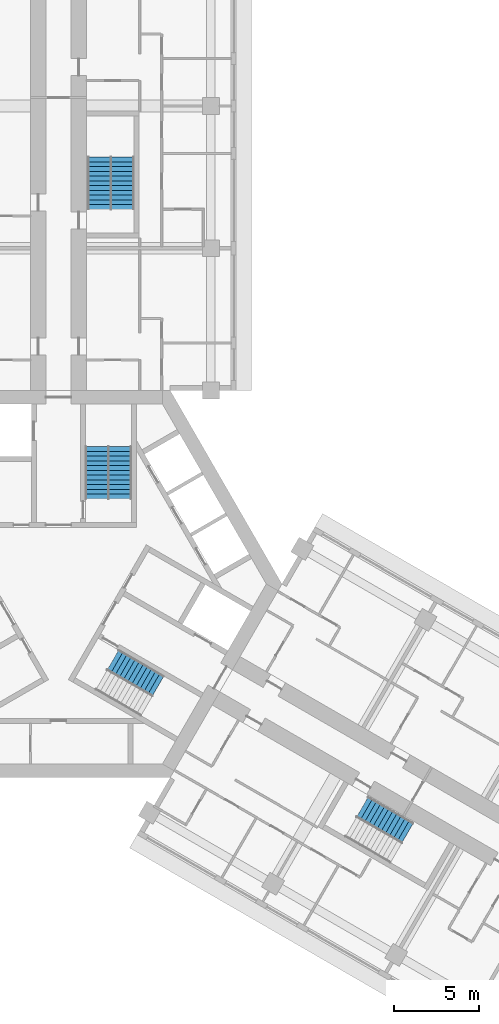
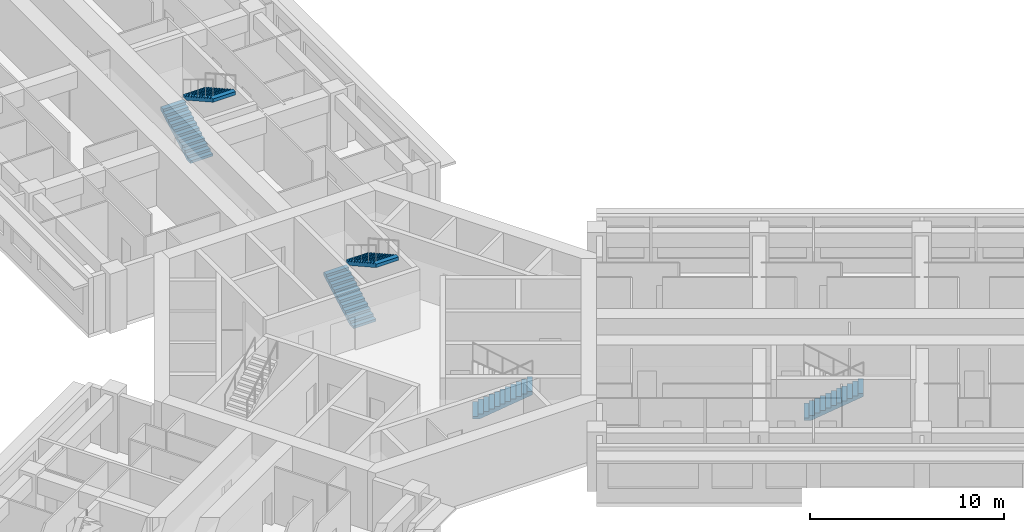
# One storey, part 13 of 14: 6 stair flights, 4 elements without a shape of their own.
"""IFC4 building model written with IfcOpenShell, lengths in metres."""

from ifc_helpers import new_model, si_unit, direction, frame, origin, place, context, subcontext, project, spatial, polyline, outline, extrude, material, type_object, element, aggregate, save


model = new_model("IFC4")

# Units and contexts
model_context = context("Model", 3, precision=1e-05, world=origin(), true_north=direction((0.0, 1.0)))
body_context = subcontext(model_context, "Body", "Model", "MODEL_VIEW")
ifc_project = project(units=[si_unit("LENGTHUNIT", "METRE"), si_unit("AREAUNIT", "SQUARE_METRE"), si_unit("VOLUMEUNIT", "CUBIC_METRE"), si_unit("PLANEANGLEUNIT", "RADIAN"), si_unit("MASSUNIT", "GRAM", prefix="KILO")], contexts=[model_context])

# Site, building, storey
site_placement = place(None, origin())
site = spatial("IfcSite", under=ifc_project, at=site_placement, CompositionType="ELEMENT")
building_placement = place(site_placement, origin())
building = spatial("IfcBuilding", under=site, at=building_placement, Name="Impinga Residences", CompositionType="ELEMENT")
storey_placement = place(building_placement, frame((0.0, 0.0, 154.75)))
storey = spatial("IfcBuildingStorey", under=building, at=storey_placement, Name="L38", CompositionType="ELEMENT", Elevation=154.75)

# Stair, stair flights
ifc_material = material(Name="Concrete C40/50", Category="concrete")
stair_type_1 = type_object("IfcStairType", Name="STR core stair 3750 storey, 24 risers", PredefinedType="HALF_TURN_STAIR", material=ifc_material)
stair_1_placement = place(storey_placement, origin())
stair_1 = element("IfcStair", 1, at=stair_1_placement, inside=storey, type_object=stair_type_1, Name="Stair ST1 L38", PredefinedType="HALF_TURN_STAIR")
stair_flight_type = type_object("IfcStairFlightType", Name="SF 12 risers of 156", PredefinedType="STRAIGHT", material=ifc_material)
stair_flight_1_placement = place(storey_placement, frame((2.27490234375, 5.030029296875, 0.0), z_axis=(0.0, 0.0, 1.0), x_axis=(0.0, 1.0, 0.0)))
stair_flight_1 = element("IfcStairFlight", 2, at=stair_flight_1_placement, type_object=stair_flight_type, Name="ST1 flight 1", NumberOfRisers=12, NumberOfTreads=11, PredefinedType="STRAIGHT", RiserHeight=0.15625, TreadLength=0.28, context=body_context, shape_type="SweptSolid", body=[
    extrude(outline(polyline([(0.0, 0.0), (0.0, 0.15625), (0.280029296875, 0.15625), (0.280029296875, 0.3125), (0.56005859375, 0.3125), (0.56005859375, 0.46875), (0.840087890625, 0.46875), (0.840087890625, 0.625), (1.1201171875, 0.625), (1.1201171875, 0.78125), (1.39990234375, 0.78125), (1.39990234375, 0.9375), (1.679931640625, 0.9375), (1.679931640625, 1.09375), (1.9599609375, 1.09375), (1.9599609375, 1.25), (2.239990234375, 1.25), (2.239990234375, 1.40625), (2.52001953125, 1.40625), (2.52001953125, 1.5625), (2.800048828125, 1.5625), (2.800048828125, 1.71875), (3.080078125, 1.71875), (3.080078125, 1.875), (3.080078125, 1.5126953125), (0.369140625, 0.0), (0.0, 0.0)])), frame((0.0, 0.675048828125, 0.0), z_axis=(0.0, -1.0, 0.0), x_axis=(1.0, 0.0, 0.0)), (0.0, 0.0, 1.0), 1.35009765625),
])
stair_flight_2_placement = place(storey_placement, frame((3.625, 8.110107421875, 1.875), z_axis=(0.0, 0.0, 1.0), x_axis=(0.0, -1.0, 0.0)))
stair_flight_2 = element("IfcStairFlight", 3, at=stair_flight_2_placement, type_object=stair_flight_type, Name="ST1 flight 2", NumberOfRisers=12, NumberOfTreads=11, PredefinedType="STRAIGHT", RiserHeight=0.15625, TreadLength=0.28, context=body_context, shape_type="SweptSolid", body=[
    extrude(outline(polyline([(0.0, 0.0), (0.0, 0.15625), (0.280029296875, 0.15625), (0.280029296875, 0.3125), (0.56005859375, 0.3125), (0.56005859375, 0.46875), (0.840087890625, 0.46875), (0.840087890625, 0.625), (1.1201171875, 0.625), (1.1201171875, 0.78125), (1.39990234375, 0.78125), (1.39990234375, 0.9375), (1.679931640625, 0.9375), (1.679931640625, 1.09375), (1.9599609375, 1.09375), (1.9599609375, 1.25), (2.239990234375, 1.25), (2.239990234375, 1.40625), (2.52001953125, 1.40625), (2.52001953125, 1.5625), (2.800048828125, 1.5625), (2.800048828125, 1.71875), (3.080078125, 1.71875), (3.080078125, 1.875), (3.080078125, 1.5126953125), (0.369140625, 0.0), (0.0, 0.0)])), frame((0.0, 0.675048828125, 0.0), z_axis=(0.0, -1.0, 0.0), x_axis=(1.0, 0.0, 0.0)), (0.0, 0.0, 1.0), 1.35009765625),
])
aggregate(stair_1, [stair_flight_1, stair_flight_2])

# Stair, stair flight
stair_2_placement = place(storey_placement, origin())
stair_2 = element("IfcStair", 4, at=stair_2_placement, inside=storey, type_object=stair_type_1, Name="Stair ST3 L38", PredefinedType="HALF_TURN_STAIR")
stair_flight_3_placement = place(storey_placement, frame((3.218505859375, -4.485107421875, 0.0), z_axis=(0.0, 0.0, 1.0), x_axis=(0.866025403784, -0.5, 0.0)))
stair_flight_3 = element("IfcStairFlight", 5, at=stair_flight_3_placement, type_object=stair_flight_type, Name="ST3 flight 1", NumberOfRisers=12, NumberOfTreads=11, PredefinedType="STRAIGHT", RiserHeight=0.15625, TreadLength=0.28, context=body_context, shape_type="SweptSolid", body=[
    extrude(outline(polyline([(0.0, 0.0), (0.0, 0.15625), (0.280029296875, 0.15625), (0.280029296875, 0.3125), (0.56005859375, 0.3125), (0.56005859375, 0.46875), (0.840087890625, 0.46875), (0.840087890625, 0.625), (1.1201171875, 0.625), (1.1201171875, 0.78125), (1.39990234375, 0.78125), (1.39990234375, 0.9375), (1.679931640625, 0.9375), (1.679931640625, 1.09375), (1.9599609375, 1.09375), (1.9599609375, 1.25), (2.239990234375, 1.25), (2.239990234375, 1.40625), (2.52001953125, 1.40625), (2.52001953125, 1.5625), (2.800048828125, 1.5625), (2.800048828125, 1.71875), (3.080078125, 1.71875), (3.080078125, 1.875), (3.080078125, 1.5126953125), (0.369140625, 0.0), (0.0, 0.0)])), frame((0.0, 0.675048828125, 0.0), z_axis=(0.0, -1.0, 0.0), x_axis=(1.0, 0.0, 0.0)), (0.0, 0.0, 1.0), 1.35009765625),
])
aggregate(stair_2, [stair_flight_3])

# Stair, stair flights
stair_type_2 = type_object("IfcStairType", Name="STR wing stair 3750 storey, 24 risers", PredefinedType="HALF_TURN_STAIR", material=ifc_material)
stair_3_placement = place(storey_placement, origin())
stair_3 = element("IfcStair", 6, at=stair_3_placement, inside=storey, type_object=stair_type_2, Name="Stair WS1 L38", PredefinedType="HALF_TURN_STAIR")
stair_flight_4_placement = place(storey_placement, frame((2.425048828125, 22.131591796875, 0.0), z_axis=(0.0, 0.0, 1.0), x_axis=(0.0, 1.0, 0.0)))
stair_flight_4 = element("IfcStairFlight", 7, at=stair_flight_4_placement, type_object=stair_flight_type, Name="WS1 flight 1", NumberOfRisers=12, NumberOfTreads=11, PredefinedType="STRAIGHT", RiserHeight=0.15625, TreadLength=0.28, context=body_context, shape_type="SweptSolid", body=[
    extrude(outline(polyline([(0.0, 0.0), (0.0, 0.15625), (0.280029296875, 0.15625), (0.280029296875, 0.3125), (0.56005859375, 0.3125), (0.56005859375, 0.46875), (0.840087890625, 0.46875), (0.840087890625, 0.625), (1.1201171875, 0.625), (1.1201171875, 0.78125), (1.39990234375, 0.78125), (1.39990234375, 0.9375), (1.679931640625, 0.9375), (1.679931640625, 1.09375), (1.9599609375, 1.09375), (1.9599609375, 1.25), (2.239990234375, 1.25), (2.239990234375, 1.40625), (2.52001953125, 1.40625), (2.52001953125, 1.5625), (2.800048828125, 1.5625), (2.800048828125, 1.71875), (3.080078125, 1.71875), (3.080078125, 1.875), (3.080078125, 1.5126953125), (0.369140625, 0.0), (0.0, 0.0)])), frame((0.0, 0.675048828125, 0.0), z_axis=(0.0, -1.0, 0.0), x_axis=(1.0, 0.0, 0.0)), (0.0, 0.0, 1.0), 1.35009765625),
])
stair_flight_5_placement = place(storey_placement, frame((3.77490234375, 25.21142578125, 1.875), z_axis=(0.0, 0.0, 1.0), x_axis=(0.0, -1.0, 0.0)))
stair_flight_5 = element("IfcStairFlight", 8, at=stair_flight_5_placement, type_object=stair_flight_type, Name="WS1 flight 2", NumberOfRisers=12, NumberOfTreads=11, PredefinedType="STRAIGHT", RiserHeight=0.15625, TreadLength=0.28, context=body_context, shape_type="SweptSolid", body=[
    extrude(outline(polyline([(0.0, 0.0), (0.0, 0.15625), (0.280029296875, 0.15625), (0.280029296875, 0.3125), (0.56005859375, 0.3125), (0.56005859375, 0.46875), (0.840087890625, 0.46875), (0.840087890625, 0.625), (1.1201171875, 0.625), (1.1201171875, 0.78125), (1.39990234375, 0.78125), (1.39990234375, 0.9375), (1.679931640625, 0.9375), (1.679931640625, 1.09375), (1.9599609375, 1.09375), (1.9599609375, 1.25), (2.239990234375, 1.25), (2.239990234375, 1.40625), (2.52001953125, 1.40625), (2.52001953125, 1.5625), (2.800048828125, 1.5625), (2.800048828125, 1.71875), (3.080078125, 1.71875), (3.080078125, 1.875), (3.080078125, 1.5126953125), (0.369140625, 0.0), (0.0, 0.0)])), frame((0.0, 0.675048828125, 0.0), z_axis=(0.0, -1.0, 0.0), x_axis=(1.0, 0.0, 0.0)), (0.0, 0.0, 1.0), 1.35009765625),
])
aggregate(stair_3, [stair_flight_4, stair_flight_5])

# Stair, stair flight
stair_4_placement = place(storey_placement, origin())
stair_4 = element("IfcStair", 9, at=stair_4_placement, inside=storey, type_object=stair_type_2, Name="Stair WS3 L38", PredefinedType="HALF_TURN_STAIR")
stair_flight_6_placement = place(storey_placement, frame((17.953857421875, -13.165771484375, 0.0), z_axis=(0.0, 0.0, 1.0), x_axis=(0.866025403784, -0.5, 0.0)))
stair_flight_6 = element("IfcStairFlight", 10, at=stair_flight_6_placement, type_object=stair_flight_type, Name="WS3 flight 1", NumberOfRisers=12, NumberOfTreads=11, PredefinedType="STRAIGHT", RiserHeight=0.15625, TreadLength=0.28, context=body_context, shape_type="SweptSolid", body=[
    extrude(outline(polyline([(0.0, 0.0), (0.0, 0.15625), (0.280029296875, 0.15625), (0.280029296875, 0.3125), (0.56005859375, 0.3125), (0.56005859375, 0.46875), (0.840087890625, 0.46875), (0.840087890625, 0.625), (1.1201171875, 0.625), (1.1201171875, 0.78125), (1.39990234375, 0.78125), (1.39990234375, 0.9375), (1.679931640625, 0.9375), (1.679931640625, 1.09375), (1.9599609375, 1.09375), (1.9599609375, 1.25), (2.239990234375, 1.25), (2.239990234375, 1.40625), (2.52001953125, 1.40625), (2.52001953125, 1.5625), (2.800048828125, 1.5625), (2.800048828125, 1.71875), (3.080078125, 1.71875), (3.080078125, 1.875), (3.080078125, 1.5126953125), (0.369140625, 0.0), (0.0, 0.0)])), frame((0.0, 0.675048828125, 0.0), z_axis=(0.0, -1.0, 0.0), x_axis=(1.0, 0.0, 0.0)), (0.0, 0.0, 1.0), 1.35009765625),
])
aggregate(stair_4, [stair_flight_6])

save(model, "model.ifc")
